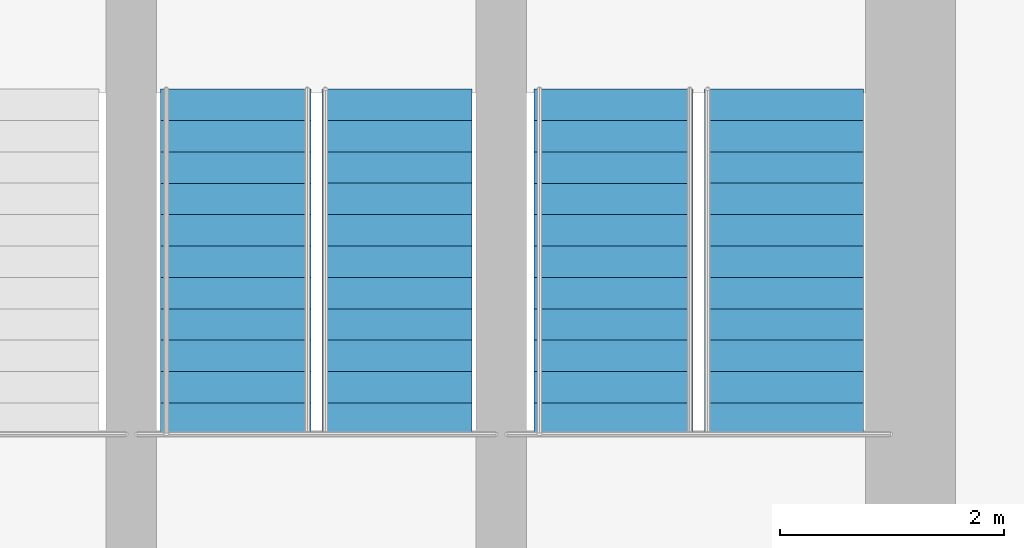
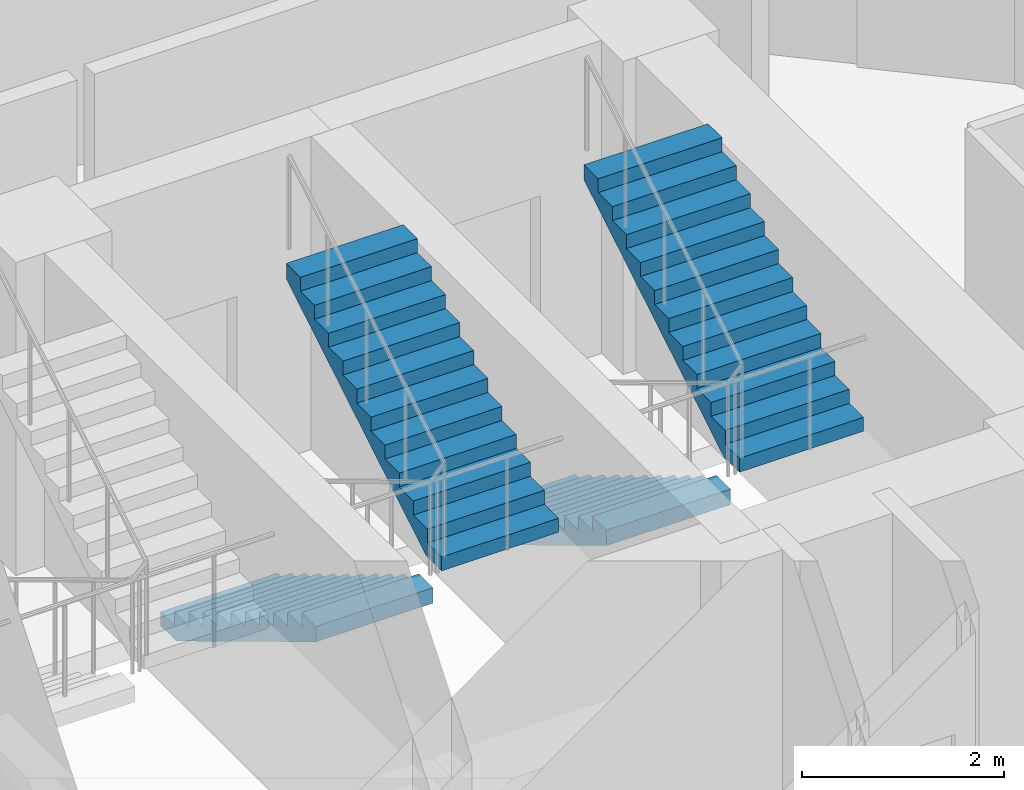
# One storey, part 24 of 25: 4 stair flights, 2 elements without a shape of their own.
"""IFC4 building model written with IfcOpenShell, lengths in metres."""

from ifc_helpers import new_model, si_unit, direction, frame, origin, place, context, subcontext, project, spatial, polyline, outline, extrude, material, type_object, element, aggregate, save


model = new_model("IFC4")

# Units and contexts
model_context = context("Model", 3, precision=1e-05, world=origin(), true_north=direction((0.0, 1.0)))
body_context = subcontext(model_context, "Body", "Model", "MODEL_VIEW")
ifc_project = project(units=[si_unit("LENGTHUNIT", "METRE"), si_unit("AREAUNIT", "SQUARE_METRE"), si_unit("VOLUMEUNIT", "CUBIC_METRE"), si_unit("PLANEANGLEUNIT", "RADIAN"), si_unit("MASSUNIT", "GRAM", prefix="KILO")], contexts=[model_context])

# Site, building, storey
site_placement = place(None, origin())
site = spatial("IfcSite", under=ifc_project, at=site_placement, CompositionType="ELEMENT")
building_placement = place(site_placement, origin())
building = spatial("IfcBuilding", under=site, at=building_placement, Name="Nuhasar Tower", CompositionType="ELEMENT")
storey_placement = place(building_placement, frame((0.0, 0.0, 45.300048828125)))
storey = spatial("IfcBuildingStorey", under=building, at=storey_placement, Name="L10", CompositionType="ELEMENT", Elevation=45.300048828125)

# Stair, stair flights
ifc_material = material(Name="Concrete C45/55", Category="concrete")
stair_type_1 = type_object("IfcStairType", Name="STR-ST-02-2F-24R-1688", PredefinedType="HALF_TURN_STAIR", material=ifc_material)
stair_1_placement = place(storey_placement, origin())
stair_1 = element("IfcStair", 1, at=stair_1_placement, inside=storey, type_object=stair_type_1, Name="L10 Exit Stair ST-02", PredefinedType="HALF_TURN_STAIR")
stair_flight_type_1 = type_object("IfcStairFlightType", Name="SFL-ST-02-12R-1688", PredefinedType="STRAIGHT", material=ifc_material)
stair_flight_1_placement = place(storey_placement, frame((41.64990234375, 35.284912109375, 0.0), z_axis=(0.0, 0.0, 1.0), x_axis=(0.0, -1.0, 0.0)))
stair_flight_1 = element("IfcStairFlight", 2, at=stair_flight_1_placement, type_object=stair_flight_type_1, Name="ST-02 flight 1", NumberOfRisers=12, NumberOfTreads=11, PredefinedType="STRAIGHT", RiserHeight=0.16875, TreadLength=0.28, context=body_context, shape_type="SweptSolid", body=[
    extrude(outline(polyline([(0.0, 0.0), (0.0, 0.168701171875), (0.280029296875, 0.168701171875), (0.280029296875, 0.33740234375), (0.56005859375, 0.33740234375), (0.56005859375, 0.50634765625), (0.840087890625, 0.50634765625), (0.840087890625, 0.675048828125), (1.1201171875, 0.675048828125), (1.1201171875, 0.84375), (1.39990234375, 0.84375), (1.39990234375, 1.012451171875), (1.679931640625, 1.012451171875), (1.679931640625, 1.18115234375), (1.9599609375, 1.18115234375), (1.9599609375, 1.35009765625), (2.239990234375, 1.35009765625), (2.239990234375, 1.518798828125), (2.52001953125, 1.518798828125), (2.52001953125, 1.6875), (2.800048828125, 1.6875), (2.800048828125, 1.856201171875), (3.080078125, 1.856201171875), (3.080078125, 2.02490234375), (3.080078125, 1.66943359375), (0.309814453125, 0.0), (0.0, 0.0)])), frame((0.0, 0.7099609375, 0.0), z_axis=(0.0, -1.0, 0.0), x_axis=(1.0, 0.0, 0.0)), (0.0, 0.0, 1.0), 1.419921875),
])
stair_flight_2_placement = place(storey_placement, frame((43.169921875, 32.205078125, 2.02490234375), z_axis=(0.0, 0.0, 1.0), x_axis=(0.0, 1.0, 0.0)))
stair_flight_2 = element("IfcStairFlight", 3, at=stair_flight_2_placement, type_object=stair_flight_type_1, Name="ST-02 flight 2", NumberOfRisers=12, NumberOfTreads=11, PredefinedType="STRAIGHT", RiserHeight=0.16875, TreadLength=0.28, context=body_context, shape_type="SweptSolid", body=[
    extrude(outline(polyline([(0.0, 0.0), (0.0, 0.168701171875), (0.280029296875, 0.168701171875), (0.280029296875, 0.33740234375), (0.56005859375, 0.33740234375), (0.56005859375, 0.50634765625), (0.840087890625, 0.50634765625), (0.840087890625, 0.675048828125), (1.1201171875, 0.675048828125), (1.1201171875, 0.84375), (1.39990234375, 0.84375), (1.39990234375, 1.012451171875), (1.679931640625, 1.012451171875), (1.679931640625, 1.18115234375), (1.9599609375, 1.18115234375), (1.9599609375, 1.35009765625), (2.239990234375, 1.35009765625), (2.239990234375, 1.518798828125), (2.52001953125, 1.518798828125), (2.52001953125, 1.6875), (2.800048828125, 1.6875), (2.800048828125, 1.856201171875), (3.080078125, 1.856201171875), (3.080078125, 2.02490234375), (3.080078125, 1.66943359375), (0.309814453125, 0.0), (0.0, 0.0)])), frame((0.0, 0.7099609375, 0.0), z_axis=(0.0, -1.0, 0.0), x_axis=(1.0, 0.0, 0.0)), (0.0, 0.0, 1.0), 1.419921875),
])
aggregate(stair_1, [stair_flight_1, stair_flight_2])

stair_type_2 = type_object("IfcStairType", Name="STR-ST-03-2F-24R-1688", PredefinedType="HALF_TURN_STAIR", material=ifc_material)
stair_2_placement = place(storey_placement, origin())
stair_2 = element("IfcStair", 4, at=stair_2_placement, inside=storey, type_object=stair_type_2, Name="L10 Exit Stair ST-03", PredefinedType="HALF_TURN_STAIR")
stair_flight_type_2 = type_object("IfcStairFlightType", Name="SFL-ST-03-12R-1688", PredefinedType="STRAIGHT", material=ifc_material)
stair_flight_3_placement = place(storey_placement, frame((38.280029296875, 35.284912109375, 0.0), z_axis=(0.0, 0.0, 1.0), x_axis=(0.0, -1.0, 0.0)))
stair_flight_3 = element("IfcStairFlight", 5, at=stair_flight_3_placement, type_object=stair_flight_type_2, Name="ST-03 flight 1", NumberOfRisers=12, NumberOfTreads=11, PredefinedType="STRAIGHT", RiserHeight=0.16875, TreadLength=0.28, context=body_context, shape_type="SweptSolid", body=[
    extrude(outline(polyline([(0.0, 0.0), (0.0, 0.168701171875), (0.280029296875, 0.168701171875), (0.280029296875, 0.33740234375), (0.56005859375, 0.33740234375), (0.56005859375, 0.50634765625), (0.840087890625, 0.50634765625), (0.840087890625, 0.675048828125), (1.1201171875, 0.675048828125), (1.1201171875, 0.84375), (1.39990234375, 0.84375), (1.39990234375, 1.012451171875), (1.679931640625, 1.012451171875), (1.679931640625, 1.18115234375), (1.9599609375, 1.18115234375), (1.9599609375, 1.35009765625), (2.239990234375, 1.35009765625), (2.239990234375, 1.518798828125), (2.52001953125, 1.518798828125), (2.52001953125, 1.6875), (2.800048828125, 1.6875), (2.800048828125, 1.856201171875), (3.080078125, 1.856201171875), (3.080078125, 2.02490234375), (3.080078125, 1.66943359375), (0.309814453125, 0.0), (0.0, 0.0)])), frame((0.0, 0.669921875, 0.0), z_axis=(0.0, -1.0, 0.0), x_axis=(1.0, 0.0, 0.0)), (0.0, 0.0, 1.0), 1.340087890625),
])
stair_flight_4_placement = place(storey_placement, frame((39.719970703125, 32.205078125, 2.02490234375), z_axis=(0.0, 0.0, 1.0), x_axis=(0.0, 1.0, 0.0)))
stair_flight_4 = element("IfcStairFlight", 6, at=stair_flight_4_placement, type_object=stair_flight_type_2, Name="ST-03 flight 2", NumberOfRisers=12, NumberOfTreads=11, PredefinedType="STRAIGHT", RiserHeight=0.16875, TreadLength=0.28, context=body_context, shape_type="SweptSolid", body=[
    extrude(outline(polyline([(0.0, 0.0), (0.0, 0.168701171875), (0.280029296875, 0.168701171875), (0.280029296875, 0.33740234375), (0.56005859375, 0.33740234375), (0.56005859375, 0.50634765625), (0.840087890625, 0.50634765625), (0.840087890625, 0.675048828125), (1.1201171875, 0.675048828125), (1.1201171875, 0.84375), (1.39990234375, 0.84375), (1.39990234375, 1.012451171875), (1.679931640625, 1.012451171875), (1.679931640625, 1.18115234375), (1.9599609375, 1.18115234375), (1.9599609375, 1.35009765625), (2.239990234375, 1.35009765625), (2.239990234375, 1.518798828125), (2.52001953125, 1.518798828125), (2.52001953125, 1.6875), (2.800048828125, 1.6875), (2.800048828125, 1.856201171875), (3.080078125, 1.856201171875), (3.080078125, 2.02490234375), (3.080078125, 1.66943359375), (0.309814453125, 0.0), (0.0, 0.0)])), frame((0.0, 0.669921875, 0.0), z_axis=(0.0, -1.0, 0.0), x_axis=(1.0, 0.0, 0.0)), (0.0, 0.0, 1.0), 1.340087890625),
])
aggregate(stair_2, [stair_flight_3, stair_flight_4])

save(model, "model.ifc")
